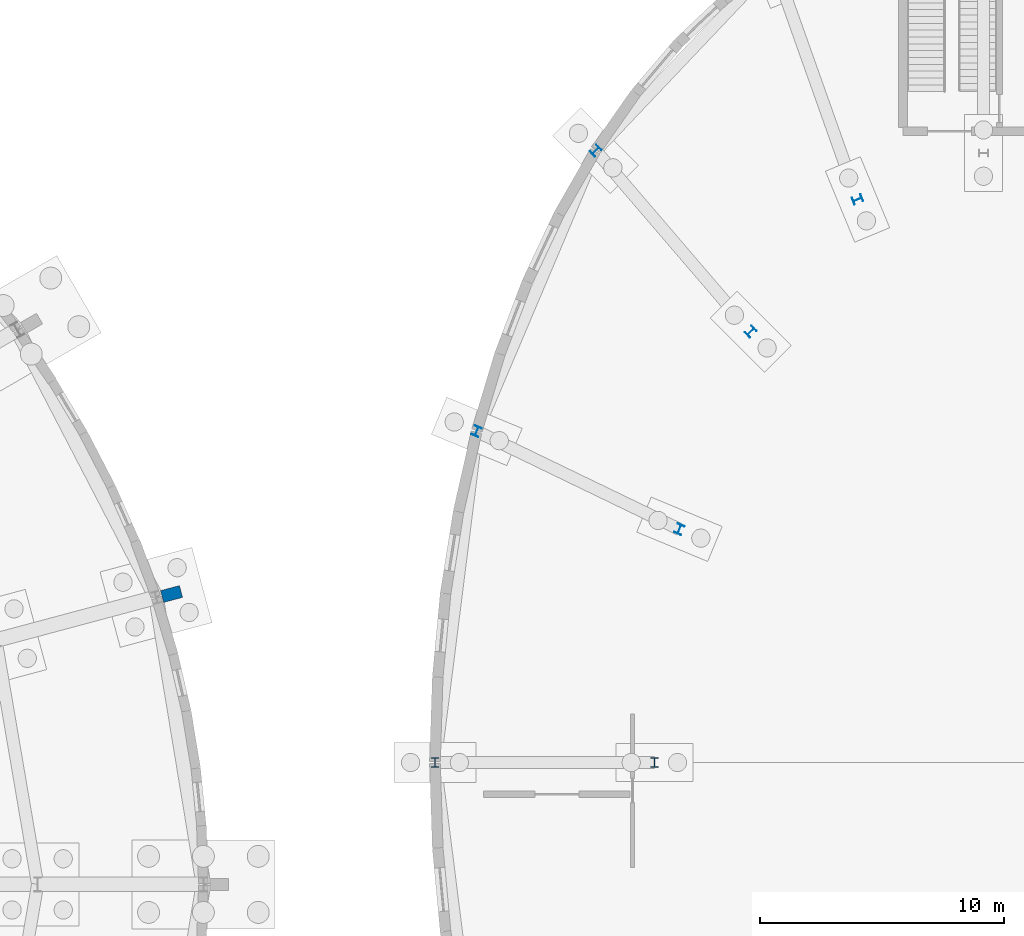
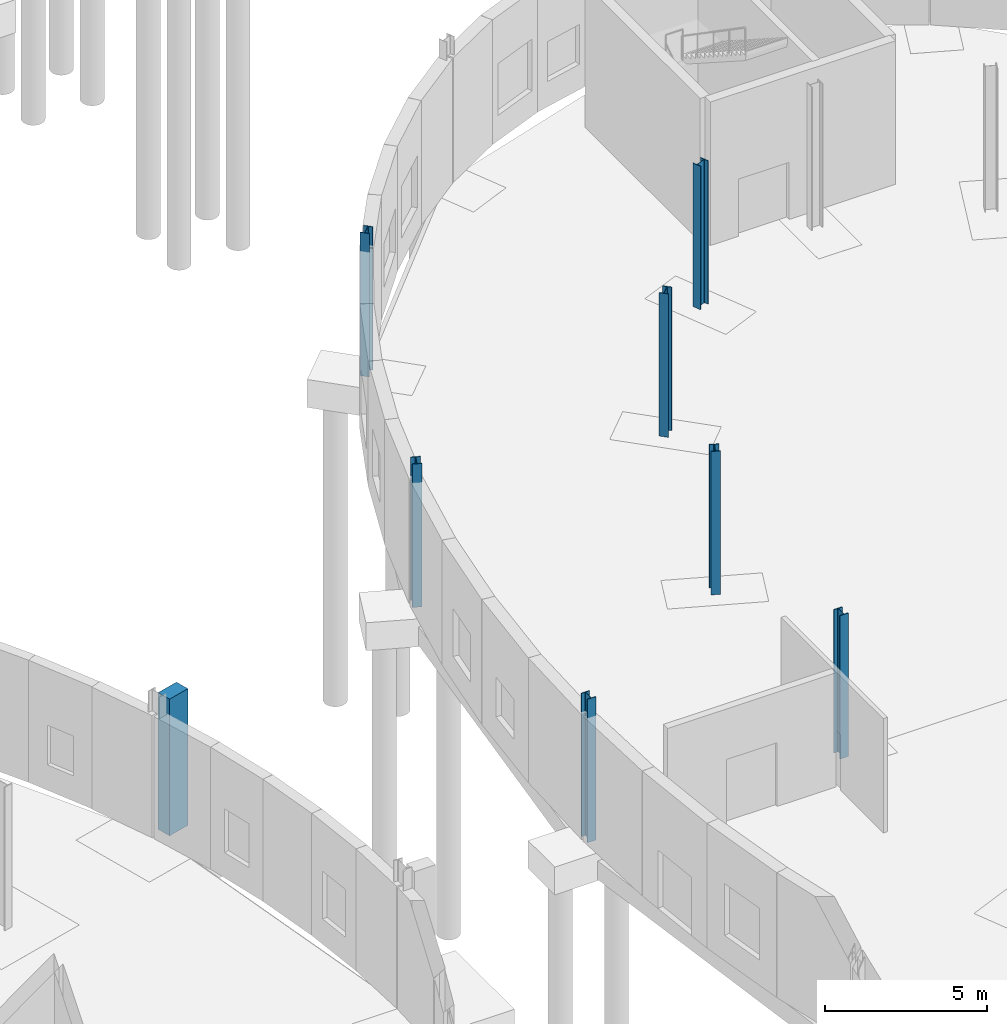
# One storey, part 41 of 118: 8 columns.
"""IFC4 building model written with IfcOpenShell, lengths in metres."""

from ifc_helpers import new_model, si_unit, direction, frame, origin, origin_2d, place, context, subcontext, project, spatial, rectangle, i_section, extrude, material, material_profile, profile_set, type_object, element, save


model = new_model("IFC4")

# Units and contexts
model_context = context("Model", 3, precision=1e-05, world=origin(), true_north=direction((0.0, 1.0)))
body_context = subcontext(model_context, "Body", "Model", "MODEL_VIEW")
ifc_project = project(units=[si_unit("LENGTHUNIT", "METRE"), si_unit("AREAUNIT", "SQUARE_METRE"), si_unit("VOLUMEUNIT", "CUBIC_METRE"), si_unit("PLANEANGLEUNIT", "RADIAN"), si_unit("MASSUNIT", "GRAM", prefix="KILO")], contexts=[model_context])

# Site, building, storey
site_placement = place(None, origin())
site = spatial("IfcSite", under=ifc_project, at=site_placement, CompositionType="ELEMENT")
building_placement = place(site_placement, origin())
building = spatial("IfcBuilding", under=site, at=building_placement, Name="Kildeholm Park Wholesale Market", CompositionType="ELEMENT")
storey_placement = place(building_placement, origin())
storey = spatial("IfcBuildingStorey", under=building, at=storey_placement, Name="L00", CompositionType="ELEMENT", Elevation=0.0)

# Columns
ifc_material_1 = material(Name="Steel S355", Category="steel")
ifc_material_profile_1 = material_profile(ifc_material_1, i_section(OverallWidth=0.300048828125, OverallDepth=0.39990234375, WebThickness=0.013427734375, FlangeThickness=0.02392578125, FilletRadius=0.027099609375, at=origin_2d()), Name="HEB 400")
ifc_profile_set_1 = profile_set([ifc_material_profile_1], Name="Steel S355")
column_type_1 = type_object("IfcColumnType", Name="Column C-S05 HEB 400", PredefinedType="COLUMN", material=ifc_profile_set_1)
for number, where, z_axis, x_axis, name in (
    (1, (182.833984375, 117.596923828125, 0.0), (0.0, 0.0, 1.0), (-0.382683432365, 0.923879532511, 0.0), "Column V2-IN-05 L00 COL-0242"),
    (2, (178.4541015625, 112.177978515625, 0.0), (0.0, 0.0, 1.0), (-0.707106781187, 0.707106781187, 0.0), "Column V2-IN-06 L00 COL-0247"),
    (3, (172.090087890625, 119.60205078125, 0.0), (0.0, 0.0, 1.0), (-0.707106781187, 0.707106781187, 0.0), "Column V2-OT-06 L00 COL-0250"),
    (4, (175.528076171875, 104.06689453125, 0.0), (0.0, 0.0, 1.0), (-0.923879532511, 0.382683432365, 0.0), "Column V2-IN-07 L00 COL-0252"),
    (5, (167.212890625, 108.0849609375, 0.0), (0.0, 0.0, 1.0), (-0.923879532511, 0.382683432365, 0.0), "Column V2-OT-07 L00 COL-0255"),
    (6, (174.5, 94.5, 0.0), (0.0, 0.0, 1.0), (-1.0, 0.0, 0.0), "Column V2-IN-08 L00 COL-0257"),
    (7, (165.5, 94.5, 0.0), (0.0, 0.0, 1.0), (-1.0, 0.0, 0.0), "Column V2-OT-08 L00 COL-0260"),
):
    element("IfcColumn", number, at=place(storey_placement, frame(where, z_axis=z_axis, x_axis=x_axis)), inside=storey, type_object=column_type_1, Name=name, PredefinedType="COLUMN", context=body_context, shape_type="SweptSolid", body=[
        extrude(i_section(OverallWidth=0.300048828125, OverallDepth=0.39990234375, WebThickness=0.013427734375, FlangeThickness=0.02392578125, FilletRadius=0.027099609375, at=origin_2d()), origin(), (0.0, 0.0, 1.0), 5.39990234375),
    ])
ifc_material_2 = material(Name="Precast concrete C40/50", Category="concrete")
ifc_material_profile_2 = material_profile(ifc_material_2, rectangle(XDim=0.800048828125, YDim=0.5, at=origin_2d()), Name="PIL 800x500")
ifc_profile_set_2 = profile_set([ifc_material_profile_2], Name="Precast concrete C40/50")
column_type_2 = type_object("IfcColumnType", Name="Column PL-M01 PIL 800x500", PredefinedType="PILASTER", material=ifc_profile_set_2)
column_placement = place(storey_placement, frame((154.694091796875, 101.412109375, 0.0), z_axis=(0.0, 0.0, 1.0), x_axis=(0.965925826289, 0.258819045103, 0.0)))
element("IfcColumn", 8, at=column_placement, inside=storey, type_object=column_type_2, Name="Market ring pilaster 2 COL-0018", PredefinedType="PILASTER", context=body_context, shape_type="SweptSolid", body=[
    extrude(rectangle(XDim=0.800048828125, YDim=0.5, at=origin_2d()), origin(), (0.0, 0.0, 1.0), 5.14990234375),
])

save(model, "model.ifc")
